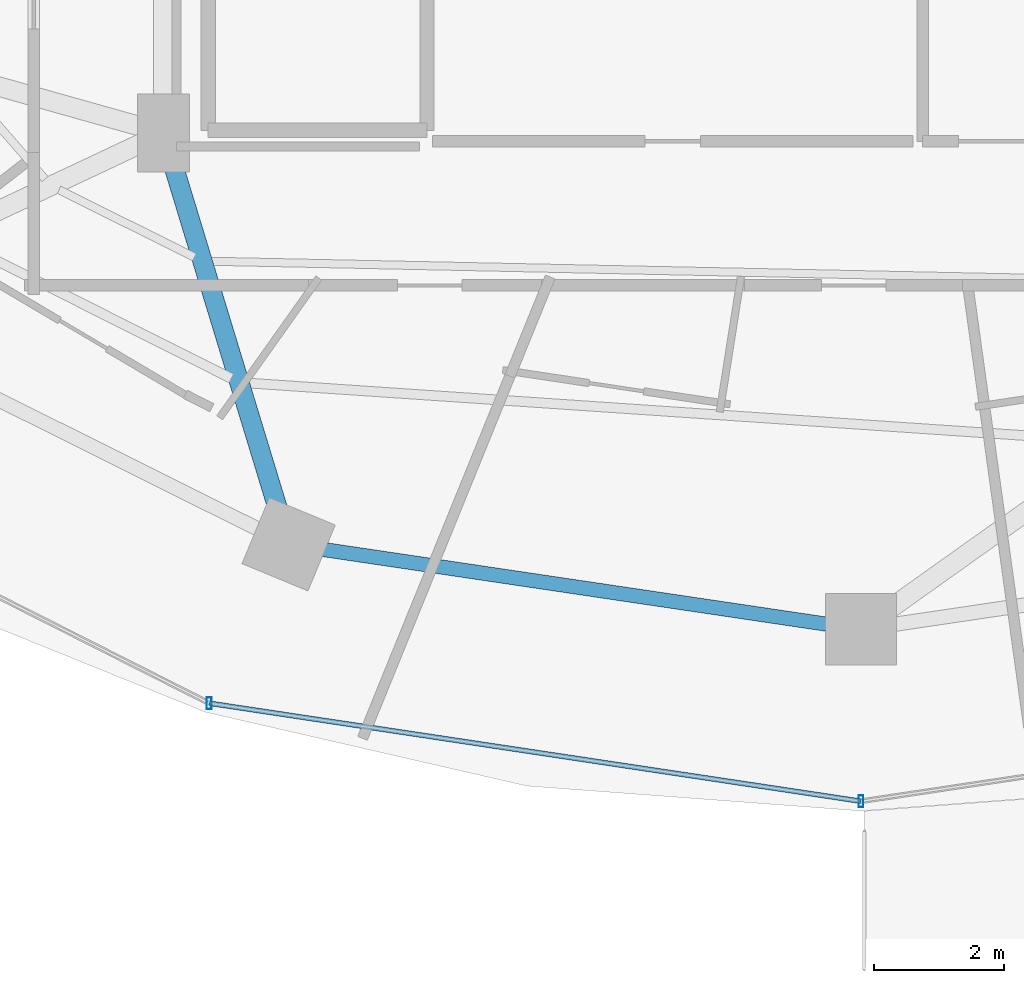
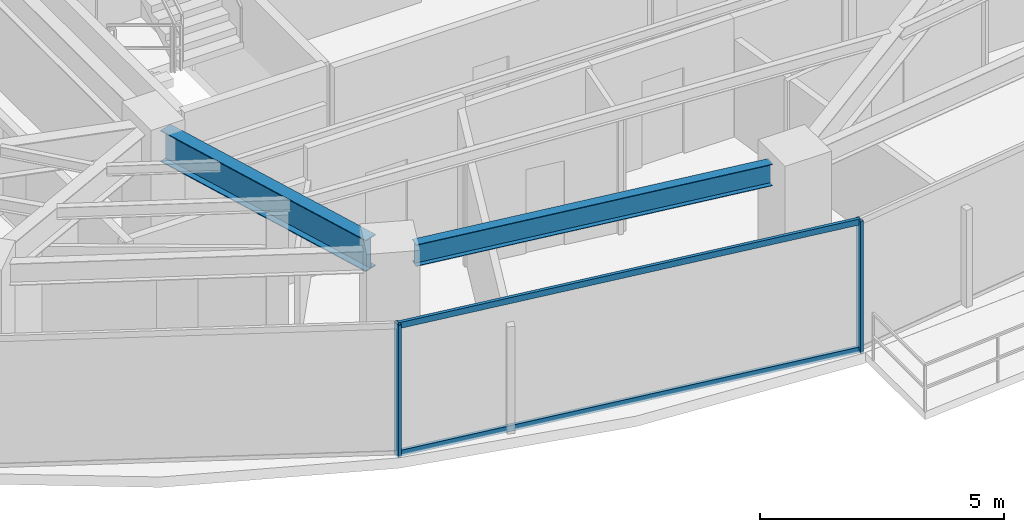
# One storey, part 4 of 30: 4 members, 2 beams, 1 element without a shape of its own.
"""IFC4 building model written with IfcOpenShell, lengths in metres."""

from ifc_helpers import new_model, si_unit, direction, frame, origin, origin_2d, place, context, subcontext, project, spatial, hollow_rectangle, i_section, extrude, material, material_profile, profile_set, type_object, element, aggregate, save


model = new_model("IFC4")

# Units and contexts
model_context = context("Model", 3, precision=1e-05, world=origin(), true_north=direction((0.0, 1.0)))
body_context = subcontext(model_context, "Body", "Model", "MODEL_VIEW")
ifc_project = project(units=[si_unit("LENGTHUNIT", "METRE"), si_unit("AREAUNIT", "SQUARE_METRE"), si_unit("VOLUMEUNIT", "CUBIC_METRE"), si_unit("PLANEANGLEUNIT", "RADIAN"), si_unit("MASSUNIT", "GRAM", prefix="KILO")], contexts=[model_context])

# Site, building, storey
site_placement = place(None, origin())
site = spatial("IfcSite", under=ifc_project, at=site_placement, CompositionType="ELEMENT")
building_placement = place(site_placement, origin())
building = spatial("IfcBuilding", under=site, at=building_placement, Name="Vorneva Point Tower", CompositionType="ELEMENT")
storey_placement = place(building_placement, frame((0.0, 0.0, 96.300048828125)))
storey = spatial("IfcBuildingStorey", under=building, at=storey_placement, Name="L25", CompositionType="ELEMENT", Elevation=96.300048828125)

# Beams
ifc_material_1 = material(Name="Steel S355", Category="steel")
ifc_material_profile_1 = material_profile(ifc_material_1, i_section(OverallWidth=0.300048828125, OverallDepth=0.7880859375, WebThickness=0.014404296875, FlangeThickness=0.02197265625, at=origin_2d()), Name="80Sh1")
ifc_profile_set_1 = profile_set([ifc_material_profile_1], Name="Steel S355")
beam_type_1 = type_object("IfcBeamType", Name="BM-GRD-80Sh1", PredefinedType="USERDEFINED", material=ifc_profile_set_1)
beam_1_placement = place(storey_placement, frame((29.0224609375, 10.6240234375, 2.845947265625), z_axis=(-0.291034888253, 0.956712440506, 0.0), x_axis=(-0.956712440506, -0.291034888253, 0.0)))
element("IfcBeam", 1, at=beam_1_placement, inside=storey, type_object=beam_type_1, Name="L25 Radial Primary Girder 12", ObjectType="GIRDER", PredefinedType="USERDEFINED", context=body_context, shape_type="SweptSolid", body=[
    extrude(i_section(OverallWidth=0.300048828125, OverallDepth=0.7880859375, WebThickness=0.014404296875, FlangeThickness=0.02197265625, at=origin_2d()), origin(), (0.0, 0.0, 1.0), 5.74951171875),
])
ifc_material_profile_2 = material_profile(ifc_material_1, i_section(OverallWidth=0.219970703125, OverallDepth=0.54296875, WebThickness=0.009521484375, FlangeThickness=0.013427734375, at=origin_2d()), Name="55B1")
ifc_profile_set_2 = profile_set([ifc_material_profile_2], Name="Steel S355")
beam_type_2 = type_object("IfcBeamType", Name="BM-SPN-55B1", PredefinedType="SPANDREL", material=ifc_profile_set_2)
beam_2_placement = place(storey_placement, frame((29.708251953125, 10.03076171875, 2.968505859375), z_axis=(0.989164507783, -0.146811363806, 0.0), x_axis=(0.146811363806, 0.989164507783, 0.0)))
element("IfcBeam", 2, at=beam_2_placement, inside=storey, type_object=beam_type_2, Name="L25 Perimeter Spandrel Ring Beam 12", PredefinedType="SPANDREL", context=body_context, shape_type="SweptSolid", body=[
    extrude(i_section(OverallWidth=0.219970703125, OverallDepth=0.54296875, WebThickness=0.009521484375, FlangeThickness=0.013427734375, at=origin_2d()), origin(), (0.0, 0.0, 1.0), 7.847412109375),
])

# Curtain wall, members
ifc_material_2 = material(Name="Pale anodised aluminium", Category="aluminium")
curtain_wall_type = type_object("IfcCurtainWallType", Name="CW-HTL-SYS", PredefinedType="NOTDEFINED", material=ifc_material_2)
curtain_wall_placement = place(storey_placement, origin())
curtain_wall = element("IfcCurtainWall", 3, at=curtain_wall_placement, inside=storey, type_object=curtain_wall_type, Name="L25 Unitised Curtain Wall CW-L25-R04", PredefinedType="NOTDEFINED")
ifc_material_profile_3 = material_profile(ifc_material_2, hollow_rectangle(XDim=0.074951171875, YDim=0.179931640625, WallThickness=0.00390625, at=origin_2d()), Name="AL-MUL 180x75x4")
ifc_profile_set_3 = profile_set([ifc_material_profile_3], Name="Pale anodised aluminium")
member_type_1 = type_object("IfcMemberType", Name="CW-MUL-180", PredefinedType="MULLION", material=ifc_profile_set_3)
member_1_placement = place(storey_placement, frame((27.95458984375, 7.660888671875, -0.0400390625), z_axis=(0.0, 0.0, 1.0), x_axis=(1.0, 0.0, 0.0)))
member_1 = element("IfcMember", 4, at=member_1_placement, type_object=member_type_1, Name="CW-L25-R04 Mullion 02", PredefinedType="MULLION", context=body_context, shape_type="SweptSolid", body=[
    extrude(hollow_rectangle(XDim=0.074951171875, YDim=0.179931640625, WallThickness=0.00390625, at=origin_2d()), origin(), (0.0, 0.0, 1.0), 3.31005859375),
])
member_2_placement = place(storey_placement, frame((38.0, 6.14990234375, -0.0400390625), z_axis=(0.0, 0.0, 1.0), x_axis=(1.0, 0.0, 0.0)))
member_2 = element("IfcMember", 5, at=member_2_placement, type_object=member_type_1, Name="CW-L25-R04 Mullion 03", PredefinedType="MULLION", context=body_context, shape_type="SweptSolid", body=[
    extrude(hollow_rectangle(XDim=0.074951171875, YDim=0.179931640625, WallThickness=0.00390625, at=origin_2d()), origin(), (0.0, 0.0, 1.0), 3.31005859375),
])
ifc_material_profile_4 = material_profile(ifc_material_2, hollow_rectangle(XDim=0.074951171875, YDim=0.14990234375, WallThickness=0.00390625, at=origin_2d()), Name="AL-TRN 150x75x4")
ifc_profile_set_4 = profile_set([ifc_material_profile_4], Name="Pale anodised aluminium")
member_type_2 = type_object("IfcMemberType", Name="CW-TRN-150", PredefinedType="USERDEFINED", material=ifc_profile_set_4)
member_3_placement = place(storey_placement, frame((27.95458984375, 7.660888671875, 0.02001953125), z_axis=(0.988875982167, -0.148742367512, 0.0), x_axis=(0.148742367512, 0.988875982167, 0.0)))
member_3 = element("IfcMember", 6, at=member_3_placement, type_object=member_type_2, Name="CW-L25-R04 Transom 02.1", ObjectType="TRANSOM", PredefinedType="USERDEFINED", context=body_context, shape_type="SweptSolid", body=[
    extrude(hollow_rectangle(XDim=0.074951171875, YDim=0.14990234375, WallThickness=0.00390625, at=origin_2d()), origin(), (0.0, 0.0, 1.0), 10.158447265625),
])
member_4_placement = place(storey_placement, frame((27.95458984375, 7.660888671875, 3.219970703125), z_axis=(0.988875982167, -0.148742367512, 0.0), x_axis=(0.148742367512, 0.988875982167, 0.0)))
member_4 = element("IfcMember", 7, at=member_4_placement, type_object=member_type_2, Name="CW-L25-R04 Transom 02.2", ObjectType="TRANSOM", PredefinedType="USERDEFINED", context=body_context, shape_type="SweptSolid", body=[
    extrude(hollow_rectangle(XDim=0.074951171875, YDim=0.14990234375, WallThickness=0.00390625, at=origin_2d()), origin(), (0.0, 0.0, 1.0), 10.158447265625),
])
aggregate(curtain_wall, [member_1, member_2, member_3, member_4])

save(model, "model.ifc")
